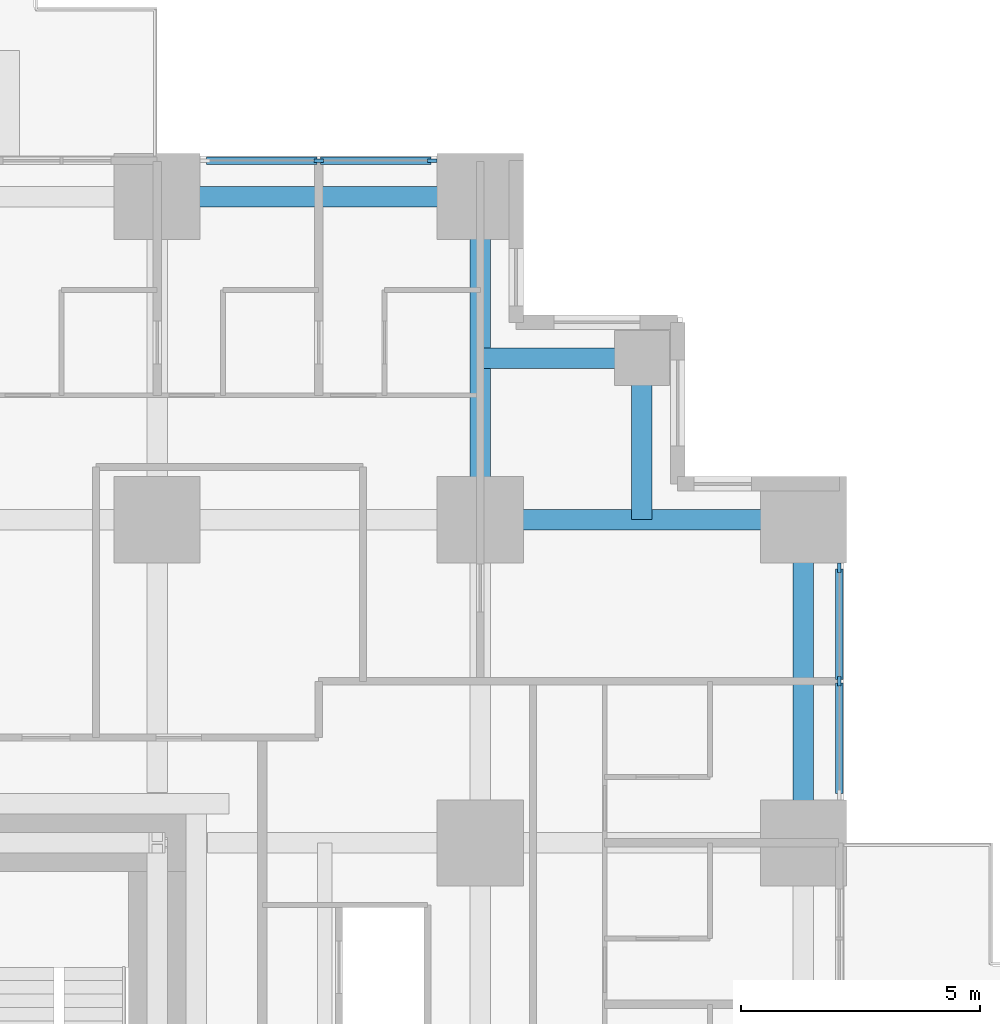
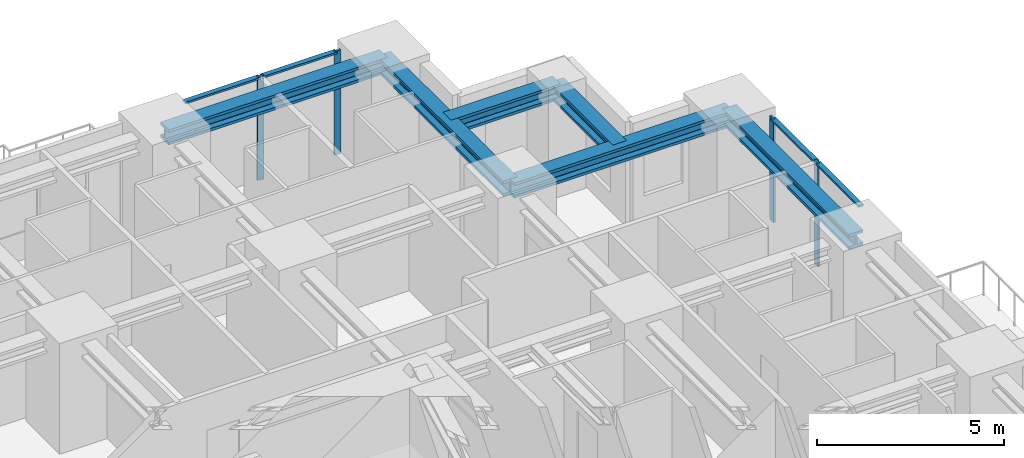
# One storey, part 6 of 14: 8 members, 6 beams, 2 elements without a shape of their own.
"""IFC4 building model written with IfcOpenShell, lengths in metres."""

from ifc_helpers import new_model, si_unit, direction, frame, origin, origin_2d, place, context, subcontext, project, spatial, rectangle, i_section, extrude, material, material_profile, profile_set, type_object, element, aggregate, save


model = new_model("IFC4")

# Units and contexts
model_context = context("Model", 3, precision=1e-05, world=origin(), true_north=direction((0.0, 1.0)))
body_context = subcontext(model_context, "Body", "Model", "MODEL_VIEW")
ifc_project = project(units=[si_unit("LENGTHUNIT", "METRE"), si_unit("AREAUNIT", "SQUARE_METRE"), si_unit("VOLUMEUNIT", "CUBIC_METRE"), si_unit("PLANEANGLEUNIT", "RADIAN"), si_unit("MASSUNIT", "GRAM", prefix="KILO")], contexts=[model_context])

# Site, building, storey
site_placement = place(None, origin())
site = spatial("IfcSite", under=ifc_project, at=site_placement, CompositionType="ELEMENT")
building_placement = place(site_placement, origin())
building = spatial("IfcBuilding", under=site, at=building_placement, Name="Nyansa Garden Tower", CompositionType="ELEMENT")
storey_placement = place(building_placement, frame((0.0, 0.0, 57.60009765625)))
storey = spatial("IfcBuildingStorey", under=building, at=storey_placement, Name="L15", CompositionType="ELEMENT", Elevation=57.60009765625)

# Curtain wall, members
ifc_material_1 = material(Name="Black anodised aluminium, dark tinted double glazing", Category="aluminium")
curtain_wall_type = type_object("IfcCurtainWallType", Name="Inner skin curtain wall ISW-A", PredefinedType="USERDEFINED", material=ifc_material_1)
curtain_wall_1_placement = place(storey_placement, origin())
curtain_wall_1 = element("IfcCurtainWall", 1, at=curtain_wall_1_placement, inside=storey, type_object=curtain_wall_type, Name="Inner skin curtain wall L15 E", ObjectType="UNITISED CURTAIN WALL", PredefinedType="USERDEFINED")
ifc_material_2 = material(Name="Black anodised aluminium", Category="aluminium")
ifc_material_profile_1 = material_profile(ifc_material_2, rectangle(XDim=0.06494140625, YDim=0.199951171875, at=origin_2d()), Name="Mullion 200x65")
ifc_profile_set_1 = profile_set([ifc_material_profile_1], Name="Black anodised aluminium")
member_type_1 = type_object("IfcMemberType", Name="Mullion ISW-A 200x65", PredefinedType="MULLION", material=ifc_profile_set_1)
member_1_placement = place(storey_placement, frame((41.25, 30.375, 0.0), z_axis=(0.0, 0.0, 1.0), x_axis=(-1.0, 0.0, 0.0)))
member_1 = element("IfcMember", 2, at=member_1_placement, type_object=member_type_1, Name="ISW-A mullion 2", PredefinedType="MULLION", context=body_context, shape_type="SweptSolid", body=[
    extrude(rectangle(XDim=0.06494140625, YDim=0.199951171875, at=origin_2d()), origin(), (0.0, 0.0, 1.0), 3.375),
])
member_2_placement = place(storey_placement, frame((41.25, 32.75, 0.0), z_axis=(0.0, 0.0, 1.0), x_axis=(-1.0, 0.0, 0.0)))
member_2 = element("IfcMember", 3, at=member_2_placement, type_object=member_type_1, Name="ISW-A mullion 3", PredefinedType="MULLION", context=body_context, shape_type="SweptSolid", body=[
    extrude(rectangle(XDim=0.06494140625, YDim=0.199951171875, at=origin_2d()), origin(), (0.0, 0.0, 1.0), 3.375),
])

curtain_wall_2_placement = place(storey_placement, origin())
curtain_wall_2 = element("IfcCurtainWall", 4, at=curtain_wall_2_placement, inside=storey, type_object=curtain_wall_type, Name="Inner skin curtain wall L15 N", ObjectType="UNITISED CURTAIN WALL", PredefinedType="USERDEFINED")
member_3_placement = place(storey_placement, frame((32.75, 41.25, 0.0), z_axis=(0.0, 0.0, 1.0), x_axis=(0.0, -1.0, 0.0)))
member_3 = element("IfcMember", 5, at=member_3_placement, type_object=member_type_1, Name="ISW-A mullion 1", PredefinedType="MULLION", context=body_context, shape_type="SweptSolid", body=[
    extrude(rectangle(XDim=0.06494140625, YDim=0.199951171875, at=origin_2d()), origin(), (0.0, 0.0, 1.0), 3.375),
])
member_4_placement = place(storey_placement, frame((30.375, 41.25, 0.0), z_axis=(0.0, 0.0, 1.0), x_axis=(0.0, -1.0, 0.0)))
member_4 = element("IfcMember", 6, at=member_4_placement, type_object=member_type_1, Name="ISW-A mullion 2", PredefinedType="MULLION", context=body_context, shape_type="SweptSolid", body=[
    extrude(rectangle(XDim=0.06494140625, YDim=0.199951171875, at=origin_2d()), origin(), (0.0, 0.0, 1.0), 3.375),
])

# Beams
ifc_material_3 = material(Name="Steel S355", Category="steel")
ifc_material_profile_2 = material_profile(ifc_material_3, i_section(OverallWidth=0.431884765625, OverallDepth=0.498046875, WebThickness=0.0556640625, FlangeThickness=0.0888671875, FilletRadius=0.014892578125, at=origin_2d()), Name="HD 400x744")
ifc_profile_set_2 = profile_set([ifc_material_profile_2], Name="Steel S355")
beam_type_1 = type_object("IfcBeamType", Name="Steel beam SBA1-744 HD 400x744", PredefinedType="BEAM", material=ifc_profile_set_2)
for number, where, z_axis, x_axis, name in (
    (7, (33.75, 33.75, 3.1259765625), (0.0, 1.0, 0.0), (-1.0, 0.0, 0.0), "Steel beam 7/J-7/K L16"),
    (8, (33.75, 33.75, 3.1259765625), (1.0, 0.0, 0.0), (0.0, 1.0, 0.0), "Steel beam 7/J-8/J L16"),
):
    element("IfcBeam", number, at=place(storey_placement, frame(where, z_axis=z_axis, x_axis=x_axis)), inside=storey, type_object=beam_type_1, Name=name, PredefinedType="BEAM", context=body_context, shape_type="SweptSolid", body=[
        extrude(i_section(OverallWidth=0.431884765625, OverallDepth=0.498046875, WebThickness=0.0556640625, FlangeThickness=0.0888671875, FilletRadius=0.014892578125, at=origin_2d()), origin(), (0.0, 0.0, 1.0), 6.75),
    ])
ifc_material_4 = material(Name="Steel S355", Category="steel")
ifc_material_profile_3 = material_profile(ifc_material_4, i_section(OverallWidth=0.431884765625, OverallDepth=0.498046875, WebThickness=0.0556640625, FlangeThickness=0.0888671875, FilletRadius=0.014892578125, at=origin_2d()), Name="HD 400x744")
ifc_profile_set_3 = profile_set([ifc_material_profile_3], Name="Steel S355")
beam_type_2 = type_object("IfcBeamType", Name="Steel beam SEBA-744 HD 400x744", PredefinedType="BEAM", material=ifc_profile_set_3)
for number, where, z_axis, x_axis, name in (
    (9, (27.0, 40.5, 3.1259765625), (1.0, 0.0, 0.0), (0.0, 1.0, 0.0), "Steel edge beam 6/K-7/K L16"),
    (10, (40.5, 27.0, 3.1259765625), (0.0, 1.0, 0.0), (-1.0, 0.0, 0.0), "Steel edge beam 8/H-8/J L16"),
):
    element("IfcBeam", number, at=place(storey_placement, frame(where, z_axis=z_axis, x_axis=x_axis)), inside=storey, type_object=beam_type_2, Name=name, PredefinedType="BEAM", context=body_context, shape_type="SweptSolid", body=[
        extrude(i_section(OverallWidth=0.431884765625, OverallDepth=0.498046875, WebThickness=0.0556640625, FlangeThickness=0.0888671875, FilletRadius=0.014892578125, at=origin_2d()), origin(), (0.0, 0.0, 1.0), 6.75),
    ])
ifc_material_5 = material(Name="Steel S355", Category="steel")
ifc_material_profile_4 = material_profile(ifc_material_5, i_section(OverallWidth=0.431884765625, OverallDepth=0.498046875, WebThickness=0.0556640625, FlangeThickness=0.0888671875, FilletRadius=0.014892578125, at=origin_2d()), Name="HD 400x744")
ifc_profile_set_4 = profile_set([ifc_material_profile_4], Name="Steel S355")
beam_type_3 = type_object("IfcBeamType", Name="Steel beam SSB1-744 HD 400x744", PredefinedType="BEAM", material=ifc_profile_set_4)
for number, where, z_axis, x_axis, name in (
    (11, (37.125, 37.125, 3.1259765625), (0.0, -1.0, 0.0), (1.0, 0.0, 0.0), "Steel step beam 37.125/37.125 L16"),
    (12, (37.125, 37.125, 3.1259765625), (-1.0, 0.0, 0.0), (0.0, -1.0, 0.0), "Steel step beam 37.125/37.125 L16"),
):
    element("IfcBeam", number, at=place(storey_placement, frame(where, z_axis=z_axis, x_axis=x_axis)), inside=storey, type_object=beam_type_3, Name=name, PredefinedType="BEAM", context=body_context, shape_type="SweptSolid", body=[
        extrude(i_section(OverallWidth=0.431884765625, OverallDepth=0.498046875, WebThickness=0.0556640625, FlangeThickness=0.0888671875, FilletRadius=0.014892578125, at=origin_2d()), origin(), (0.0, 0.0, 1.0), 3.375),
    ])

# Member
ifc_material_6 = material(Name="Black anodised aluminium", Category="aluminium")
ifc_material_profile_5 = material_profile(ifc_material_6, rectangle(XDim=0.14990234375, YDim=0.06494140625, at=origin_2d()), Name="Transom 150x65")
ifc_profile_set_5 = profile_set([ifc_material_profile_5], Name="Black anodised aluminium")
member_type_2 = type_object("IfcMemberType", Name="Transom ISW-A 150x65", PredefinedType="USERDEFINED", material=ifc_profile_set_5)
member_5_placement = place(storey_placement, frame((41.25, 28.032470703125, 3.34228515625), z_axis=(0.0, 1.0, 0.0), x_axis=(-1.0, 0.0, 0.0)))
member_5 = element("IfcMember", 13, at=member_5_placement, type_object=member_type_2, Name="ISW-A transom 1", ObjectType="TRANSOM", PredefinedType="USERDEFINED", context=body_context, shape_type="SweptSolid", body=[
    extrude(rectangle(XDim=0.14990234375, YDim=0.06494140625, at=origin_2d()), origin(), (0.0, 0.0, 1.0), 2.31005859375),
])

member_6_placement = place(storey_placement, frame((41.25, 30.407470703125, 3.34228515625), z_axis=(0.0, 1.0, 0.0), x_axis=(-1.0, 0.0, 0.0)))
member_6 = element("IfcMember", 14, at=member_6_placement, type_object=member_type_2, Name="ISW-A transom 2", ObjectType="TRANSOM", PredefinedType="USERDEFINED", context=body_context, shape_type="SweptSolid", body=[
    extrude(rectangle(XDim=0.14990234375, YDim=0.06494140625, at=origin_2d()), origin(), (0.0, 0.0, 1.0), 2.31005859375),
])

aggregate(curtain_wall_1, [member_1, member_2, member_5, member_6])

member_7_placement = place(storey_placement, frame((32.717529296875, 41.25, 3.34228515625), z_axis=(-1.0, 0.0, 0.0), x_axis=(0.0, -1.0, 0.0)))
member_7 = element("IfcMember", 15, at=member_7_placement, type_object=member_type_2, Name="ISW-A transom 1", ObjectType="TRANSOM", PredefinedType="USERDEFINED", context=body_context, shape_type="SweptSolid", body=[
    extrude(rectangle(XDim=0.14990234375, YDim=0.06494140625, at=origin_2d()), origin(), (0.0, 0.0, 1.0), 2.31005859375),
])

member_8_placement = place(storey_placement, frame((30.342529296875, 41.25, 3.34228515625), z_axis=(-1.0, 0.0, 0.0), x_axis=(0.0, -1.0, 0.0)))
member_8 = element("IfcMember", 16, at=member_8_placement, type_object=member_type_2, Name="ISW-A transom 2", ObjectType="TRANSOM", PredefinedType="USERDEFINED", context=body_context, shape_type="SweptSolid", body=[
    extrude(rectangle(XDim=0.14990234375, YDim=0.06494140625, at=origin_2d()), origin(), (0.0, 0.0, 1.0), 2.31005859375),
])

aggregate(curtain_wall_2, [member_3, member_4, member_7, member_8])

save(model, "model.ifc")
